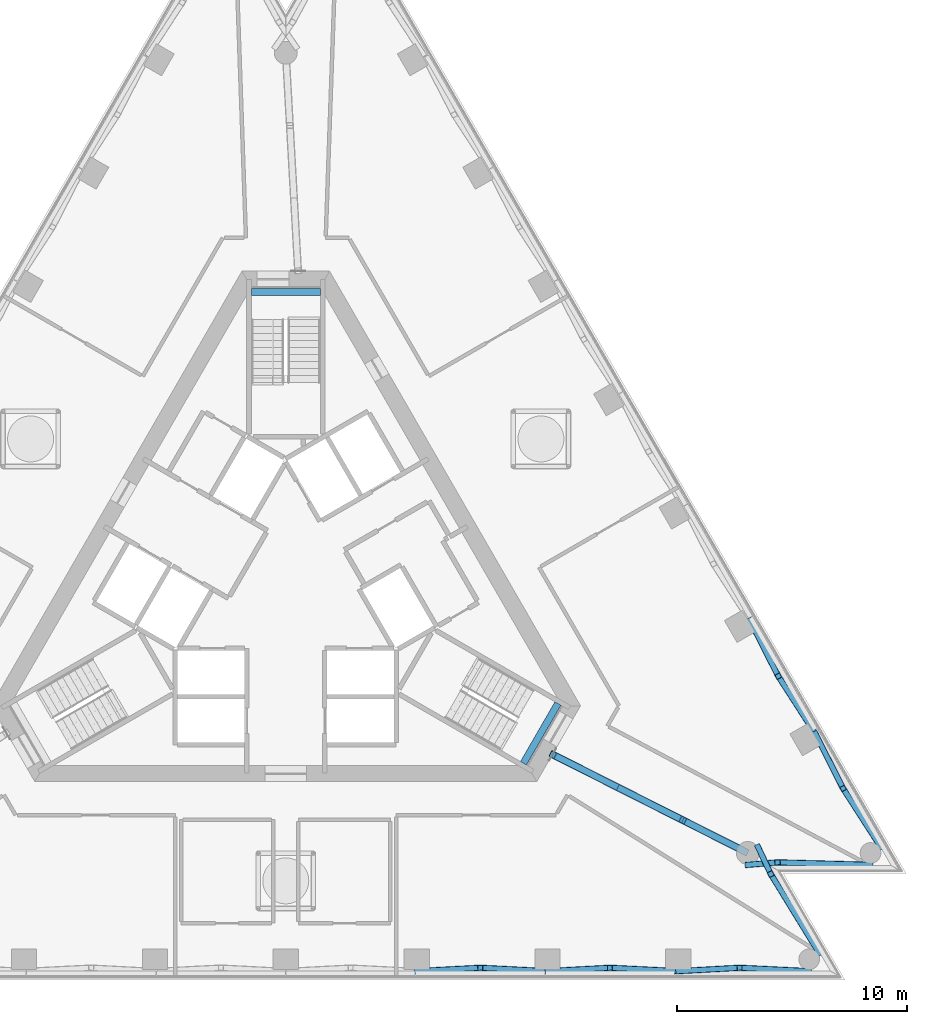
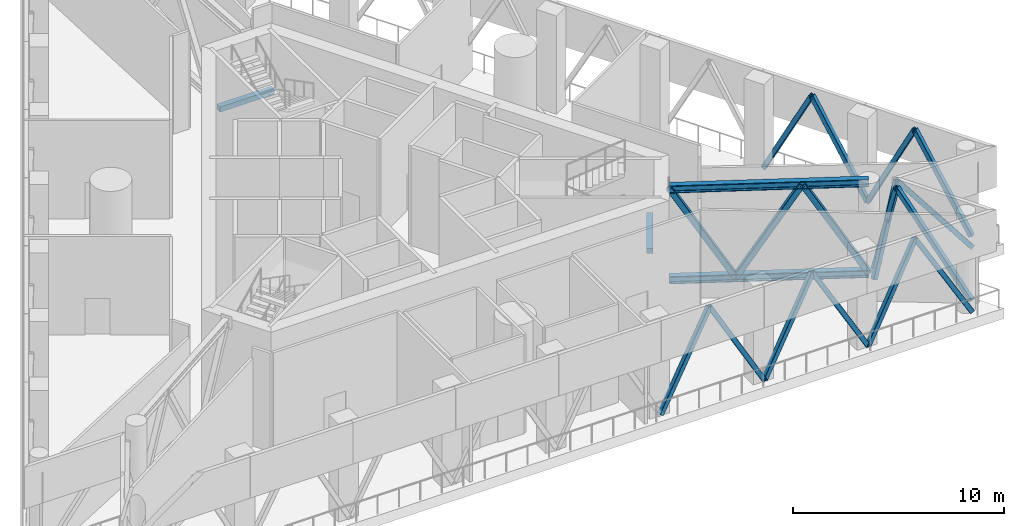
# One storey, part 4 of 15: 19 members, 2 beams.
"""IFC4 building model written with IfcOpenShell, lengths in metres."""

from ifc_helpers import new_model, si_unit, direction, frame, origin, origin_2d, place, context, subcontext, project, spatial, rectangle, hollow_rectangle, i_section, extrude, material, material_profile, profile_set, type_object, element, save


model = new_model("IFC4")

# Units and contexts
model_context = context("Model", 3, precision=1e-05, world=origin(), true_north=direction((0.0, 1.0)))
body_context = subcontext(model_context, "Body", "Model", "MODEL_VIEW")
ifc_project = project(units=[si_unit("LENGTHUNIT", "METRE"), si_unit("AREAUNIT", "SQUARE_METRE"), si_unit("VOLUMEUNIT", "CUBIC_METRE"), si_unit("PLANEANGLEUNIT", "RADIAN"), si_unit("MASSUNIT", "GRAM", prefix="KILO")], contexts=[model_context])

# Site, building, storey
site_placement = place(None, origin())
site = spatial("IfcSite", under=ifc_project, at=site_placement, CompositionType="ELEMENT")
building_placement = place(site_placement, origin())
building = spatial("IfcBuilding", under=site, at=building_placement, Name="Triada Interchange Tower", CompositionType="ELEMENT")
storey_placement = place(building_placement, frame((0.0, 0.0, 255.800048828125)))
storey = spatial("IfcBuildingStorey", under=building, at=storey_placement, Name="L60", CompositionType="ELEMENT", Elevation=255.800048828125)

# Members
ifc_material_1 = material(Name="Steel S355", Category="steel")
ifc_material_profile_1 = material_profile(ifc_material_1, hollow_rectangle(XDim=0.25, YDim=0.25, WallThickness=0.012451171875, InnerFilletRadius=0.012451171875, OuterFilletRadius=0.018798828125, at=origin_2d()), Name="RHS 250x250x12.5")
ifc_profile_set_1 = profile_set([ifc_material_profile_1], Name="Steel S355")
member_type_1 = type_object("IfcMemberType", Name="Belt truss diagonal RHS 250x250x12.5", PredefinedType="BRACE", material=ifc_profile_set_1)
member_1_placement = place(storey_placement, frame((5.68994140625, -16.737060546875, 0.14990234375), z_axis=(0.469622022955, 0.024778010387, 0.882519804739), x_axis=(-0.052688316709, 0.998611005989, 0.0)))
element("IfcMember", 1, at=member_1_placement, inside=storey, type_object=member_type_1, Name="Belt truss diagonal 031 L60", PredefinedType="BRACE", context=body_context, shape_type="SweptSolid", body=[
    extrude(hollow_rectangle(XDim=0.25, YDim=0.25, WallThickness=0.012451171875, InnerFilletRadius=0.012451171875, OuterFilletRadius=0.018798828125, at=origin_2d()), origin(), (0.0, 0.0, 1.0), 5.89208984375),
])
member_2_placement = place(storey_placement, frame((11.3798828125, -16.737060546875, 0.14990234375), z_axis=(-0.489844422272, 0.02446767161, 0.871466450883), x_axis=(-0.04988768717, -0.998754834115, 0.0)))
element("IfcMember", 2, at=member_2_placement, inside=storey, type_object=member_type_1, Name="Belt truss diagonal 032 L60", PredefinedType="BRACE", context=body_context, shape_type="SweptSolid", body=[
    extrude(hollow_rectangle(XDim=0.25, YDim=0.25, WallThickness=0.012451171875, InnerFilletRadius=0.012451171875, OuterFilletRadius=0.018798828125, at=origin_2d()), origin(), (0.0, 0.0, 1.0), 5.966796875),
])
member_3_placement = place(storey_placement, frame((11.3798828125, -16.737060546875, 0.14990234375), z_axis=(0.462700060231, 0.024880373709, 0.886165684997), x_axis=(-0.05369457142, 0.998557405961, 0.0)))
element("IfcMember", 3, at=member_3_placement, inside=storey, type_object=member_type_1, Name="Belt truss diagonal 033 L60", PredefinedType="BRACE", context=body_context, shape_type="SweptSolid", body=[
    extrude(hollow_rectangle(XDim=0.25, YDim=0.25, WallThickness=0.012451171875, InnerFilletRadius=0.012451171875, OuterFilletRadius=0.018798828125, at=origin_2d()), origin(), (0.0, 0.0, 1.0), 5.867919921875),
])
member_4_placement = place(storey_placement, frame((17.069091796875, -16.737060546875, 0.14990234375), z_axis=(-0.496333860446, 0.024364443322, 0.867789763063), x_axis=(-0.049029781284, -0.998797317051, 0.0)))
element("IfcMember", 4, at=member_4_placement, inside=storey, type_object=member_type_1, Name="Belt truss diagonal 034 L60", PredefinedType="BRACE", context=body_context, shape_type="SweptSolid", body=[
    extrude(hollow_rectangle(XDim=0.25, YDim=0.25, WallThickness=0.012451171875, InnerFilletRadius=0.012451171875, OuterFilletRadius=0.018798828125, at=origin_2d()), origin(), (0.0, 0.0, 1.0), 5.9921875),
])
member_5_placement = place(storey_placement, frame((17.069091796875, -16.737060546875, 0.14990234375), z_axis=(0.455791719254, 0.024980611137, 0.889735847163), x_axis=(-0.054724945238, 0.998501467384, 0.0)))
element("IfcMember", 5, at=member_5_placement, inside=storey, type_object=member_type_1, Name="Belt truss diagonal 035 L60", PredefinedType="BRACE", context=body_context, shape_type="SweptSolid", body=[
    extrude(hollow_rectangle(XDim=0.25, YDim=0.25, WallThickness=0.012451171875, InnerFilletRadius=0.012451171875, OuterFilletRadius=0.018798828125, at=origin_2d()), origin(), (0.0, 0.0, 1.0), 5.844482421875),
])
member_6_placement = place(storey_placement, frame((22.759033203125, -16.737060546875, 0.14990234375), z_axis=(-0.50283208949, 0.024259264987, 0.864043620335), x_axis=(-0.048189210056, -0.998838225157, 0.0)))
element("IfcMember", 6, at=member_6_placement, inside=storey, type_object=member_type_1, Name="Belt truss diagonal 036 L60", PredefinedType="BRACE", context=body_context, shape_type="SweptSolid", body=[
    extrude(hollow_rectangle(XDim=0.25, YDim=0.25, WallThickness=0.012451171875, InnerFilletRadius=0.012451171875, OuterFilletRadius=0.018798828125, at=origin_2d()), origin(), (0.0, 0.0, 1.0), 6.01806640625),
])
member_7_placement = place(storey_placement, frame((23.205078125, -15.965087890625, 0.14990234375), z_axis=(-0.320982121736, 0.523619917393, 0.789172135618), x_axis=(-0.852562232743, -0.522625716264, 0.0)))
element("IfcMember", 7, at=member_7_placement, inside=storey, type_object=member_type_1, Name="Belt truss diagonal 037 L60", PredefinedType="BRACE", context=body_context, shape_type="SweptSolid", body=[
    extrude(hollow_rectangle(XDim=0.25, YDim=0.25, WallThickness=0.012451171875, InnerFilletRadius=0.012451171875, OuterFilletRadius=0.018798828125, at=origin_2d()), origin(), (0.0, 0.0, 1.0), 6.589111328125),
])
member_8_placement = place(storey_placement, frame((20.535888671875, -11.342041015625, 0.14990234375), z_axis=(0.103408677635, -0.218843738924, 0.970264944911), x_axis=(0.9041436513, 0.427228577946, 0.0)))
element("IfcMember", 8, at=member_8_placement, inside=storey, type_object=member_type_1, Name="Belt truss diagonal 038 L60", PredefinedType="BRACE", context=body_context, shape_type="SweptSolid", body=[
    extrude(hollow_rectangle(XDim=0.25, YDim=0.25, WallThickness=0.012451171875, InnerFilletRadius=0.012451171875, OuterFilletRadius=0.018798828125, at=origin_2d()), origin(), (0.0, 0.0, 1.0), 5.359375),
])
member_9_placement = place(storey_placement, frame((20.090087890625, -12.114013671875, 0.14990234375), z_axis=(0.241426105573, 0.019951817781, 0.970214079735), x_axis=(-0.082360741756, 0.996602582887, 0.0)))
element("IfcMember", 9, at=member_9_placement, inside=storey, type_object=member_type_1, Name="Belt truss diagonal 039 L60", PredefinedType="BRACE", context=body_context, shape_type="SweptSolid", body=[
    extrude(hollow_rectangle(XDim=0.25, YDim=0.25, WallThickness=0.012451171875, InnerFilletRadius=0.012451171875, OuterFilletRadius=0.018798828125, at=origin_2d()), origin(), (0.0, 0.0, 1.0), 5.359619140625),
])
member_10_placement = place(storey_placement, frame((25.427978515625, -12.114013671875, 0.14990234375), z_axis=(-0.613816123118, 0.016231071114, 0.789282154449), x_axis=(-0.026433648255, -0.999650570069, 0.0)))
element("IfcMember", 10, at=member_10_placement, inside=storey, type_object=member_type_1, Name="Belt truss diagonal 040 L60", PredefinedType="BRACE", context=body_context, shape_type="SweptSolid", body=[
    extrude(hollow_rectangle(XDim=0.25, YDim=0.25, WallThickness=0.012451171875, InnerFilletRadius=0.012451171875, OuterFilletRadius=0.018798828125, at=origin_2d()), origin(), (0.0, 0.0, 1.0), 6.588134765625),
])
member_11_placement = place(storey_placement, frame((25.8740234375, -11.341064453125, 0.14990234375), z_axis=(-0.272515899758, 0.42337726195, 0.863994663434), x_axis=(-0.840866833524, -0.541242060708, 0.0)))
element("IfcMember", 11, at=member_11_placement, inside=storey, type_object=member_type_1, Name="Belt truss diagonal 041 L60", PredefinedType="BRACE", context=body_context, shape_type="SweptSolid", body=[
    extrude(hollow_rectangle(XDim=0.25, YDim=0.25, WallThickness=0.012451171875, InnerFilletRadius=0.012451171875, OuterFilletRadius=0.018798828125, at=origin_2d()), origin(), (0.0, 0.0, 1.0), 6.0185546875),
])
member_12_placement = place(storey_placement, frame((23.029052734375, -6.4140625, 0.14990234375), z_axis=(0.2061720887, -0.407080209179, 0.88981951717), x_axis=(0.892108112041, 0.4518219964, 0.0)))
element("IfcMember", 12, at=member_12_placement, inside=storey, type_object=member_type_1, Name="Belt truss diagonal 042 L60", PredefinedType="BRACE", context=body_context, shape_type="SweptSolid", body=[
    extrude(hollow_rectangle(XDim=0.25, YDim=0.25, WallThickness=0.012451171875, InnerFilletRadius=0.012451171875, OuterFilletRadius=0.018798828125, at=origin_2d()), origin(), (0.0, 0.0, 1.0), 5.84375),
])
member_13_placement = place(storey_placement, frame((23.029052734375, -6.4150390625, 0.14990234375), z_axis=(-0.269168141033, 0.417868567062, 0.86771791068), x_axis=(-0.840685465881, -0.54152372751, 0.0)))
element("IfcMember", 13, at=member_13_placement, inside=storey, type_object=member_type_1, Name="Belt truss diagonal 043 L60", PredefinedType="BRACE", context=body_context, shape_type="SweptSolid", body=[
    extrude(hollow_rectangle(XDim=0.25, YDim=0.25, WallThickness=0.012451171875, InnerFilletRadius=0.012451171875, OuterFilletRadius=0.018798828125, at=origin_2d()), origin(), (0.0, 0.0, 1.0), 5.99267578125),
])
member_14_placement = place(storey_placement, frame((20.18408203125, -1.487060546875, 0.14990234375), z_axis=(0.209945017414, -0.413066613732, 0.886171011873), x_axis=(0.891462591884, 0.453094302845, 0.0)))
element("IfcMember", 14, at=member_14_placement, inside=storey, type_object=member_type_1, Name="Belt truss diagonal 044 L60", PredefinedType="BRACE", context=body_context, shape_type="SweptSolid", body=[
    extrude(hollow_rectangle(XDim=0.25, YDim=0.25, WallThickness=0.012451171875, InnerFilletRadius=0.012451171875, OuterFilletRadius=0.018798828125, at=origin_2d()), origin(), (0.0, 0.0, 1.0), 5.867919921875),
])

# Beams
ifc_material_2 = material(Name="Concrete C35/45", Category="concrete")
ifc_material_profile_2 = material_profile(ifc_material_2, rectangle(XDim=0.300048828125, YDim=0.300048828125, at=origin_2d()), Name="RC 300x300")
ifc_profile_set_2 = profile_set([ifc_material_profile_2], Name="Concrete C35/45")
beam_type = type_object("IfcBeamType", Name="Landing support beam RC 300x300", PredefinedType="BEAM", material=ifc_profile_set_2)
beam_1_placement = place(storey_placement, frame((1.5, 12.800048828125, 2.491943359375), z_axis=(-1.0, 0.0, 0.0), x_axis=(0.0, -1.0, 0.0)))
element("IfcBeam", 15, at=beam_1_placement, inside=storey, type_object=beam_type, Name="Landing support beam S60-1 1", PredefinedType="BEAM", context=body_context, shape_type="SweptSolid", body=[
    extrude(rectangle(XDim=0.300048828125, YDim=0.300048828125, at=origin_2d()), origin(), (0.0, 0.0, 1.0), 3.0),
])
beam_2_placement = place(storey_placement, frame((10.3349609375, -7.698974609375, 2.491943359375), z_axis=(0.50002537861, 0.866010750942, 0.0), x_axis=(-0.866010750942, 0.50002537861, 0.0)))
element("IfcBeam", 16, at=beam_2_placement, inside=storey, type_object=beam_type, Name="Landing support beam S60-3 1", PredefinedType="BEAM", context=body_context, shape_type="SweptSolid", body=[
    extrude(rectangle(XDim=0.300048828125, YDim=0.300048828125, at=origin_2d()), origin(), (0.0, 0.0, 1.0), 2.999755859375),
])

# Members
ifc_material_3 = material(Name="Steel S460M", Category="steel")
ifc_material_profile_3 = material_profile(ifc_material_3, i_section(OverallWidth=0.306884765625, OverallDepth=0.431884765625, WebThickness=0.02099609375, FlangeThickness=0.0400390625, FilletRadius=0.027099609375, at=origin_2d()), Name="HEM 400")
ifc_profile_set_3 = profile_set([ifc_material_profile_3], Name="Steel S460M")
member_type_2 = type_object("IfcMemberType", Name="Outrigger chord HEM 400", PredefinedType="CHORD", material=ifc_profile_set_3)
for number, where, z_axis, x_axis, name in (
    (17, (11.613037109375, -7.321044921875, 0.216064453125), (0.892754878333, -0.450542702985, 0.0), (0.450542702985, 0.892754878333, 0.0), "Outrigger bottom chord SE L60"),
    (18, (11.613037109375, -7.321044921875, 5.48388671875), (0.892754878333, -0.450542702985, 0.0), (0.450542702985, 0.892754878333, 0.0), "Outrigger top chord SE L60"),
):
    element("IfcMember", number, at=place(storey_placement, frame(where, z_axis=z_axis, x_axis=x_axis)), inside=storey, type_object=member_type_2, Name=name, PredefinedType="CHORD", context=body_context, shape_type="SweptSolid", body=[
        extrude(i_section(OverallWidth=0.306884765625, OverallDepth=0.431884765625, WebThickness=0.02099609375, FlangeThickness=0.0400390625, FilletRadius=0.027099609375, at=origin_2d()), origin(), (0.0, 0.0, 1.0), 9.495361328125),
    ])
ifc_material_profile_4 = material_profile(ifc_material_1, hollow_rectangle(XDim=0.300048828125, YDim=0.300048828125, WallThickness=0.01611328125, InnerFilletRadius=0.01611328125, OuterFilletRadius=0.02392578125, at=origin_2d()), Name="RHS 300x300x16")
ifc_profile_set_4 = profile_set([ifc_material_profile_4], Name="Steel S355")
member_type_3 = type_object("IfcMemberType", Name="Outrigger diagonal RHS 300x300x16", PredefinedType="BRACE", material=ifc_profile_set_4)
member_15_placement = place(storey_placement, frame((11.613037109375, -7.321044921875, 5.48388671875), z_axis=(0.45982353547, -0.23203708602, -0.857158740806), x_axis=(0.450511679481, 0.892770534153, 0.0)))
element("IfcMember", 19, at=member_15_placement, inside=storey, type_object=member_type_3, Name="Outrigger diagonal SE 1 L60", PredefinedType="BRACE", context=body_context, shape_type="SweptSolid", body=[
    extrude(hollow_rectangle(XDim=0.300048828125, YDim=0.300048828125, WallThickness=0.01611328125, InnerFilletRadius=0.01611328125, OuterFilletRadius=0.02392578125, at=origin_2d()), origin(), (0.0, 0.0, 1.0), 6.145751953125),
])
member_16_placement = place(storey_placement, frame((14.43896484375, -8.7470703125, 0.216064453125), z_axis=(0.459698217369, -0.232054039206, 0.85722136688), x_axis=(0.450635795872, 0.892707891462, 0.0)))
element("IfcMember", 20, at=member_16_placement, inside=storey, type_object=member_type_3, Name="Outrigger diagonal SE 2 L60", PredefinedType="BRACE", context=body_context, shape_type="SweptSolid", body=[
    extrude(hollow_rectangle(XDim=0.300048828125, YDim=0.300048828125, WallThickness=0.01611328125, InnerFilletRadius=0.01611328125, OuterFilletRadius=0.02392578125, at=origin_2d()), origin(), (0.0, 0.0, 1.0), 6.145263671875),
])
member_17_placement = place(storey_placement, frame((17.263916015625, -10.173095703125, 5.48388671875), z_axis=(0.459854860703, -0.232032847388, -0.85714308305), x_axis=(0.450480659705, 0.892786186739, 0.0)))
element("IfcMember", 21, at=member_17_placement, inside=storey, type_object=member_type_3, Name="Outrigger diagonal SE 3 L60", PredefinedType="BRACE", context=body_context, shape_type="SweptSolid", body=[
    extrude(hollow_rectangle(XDim=0.300048828125, YDim=0.300048828125, WallThickness=0.01611328125, InnerFilletRadius=0.01611328125, OuterFilletRadius=0.02392578125, at=origin_2d()), origin(), (0.0, 0.0, 1.0), 6.145751953125),
])

save(model, "model.ifc")
